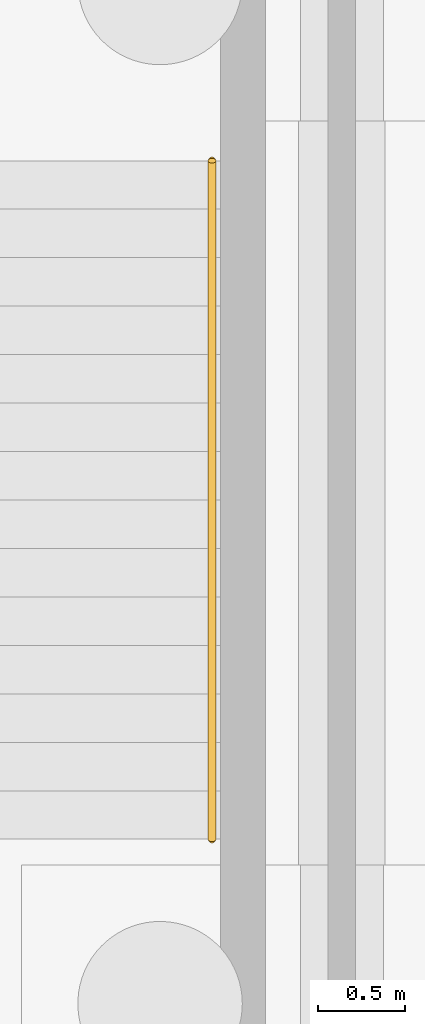
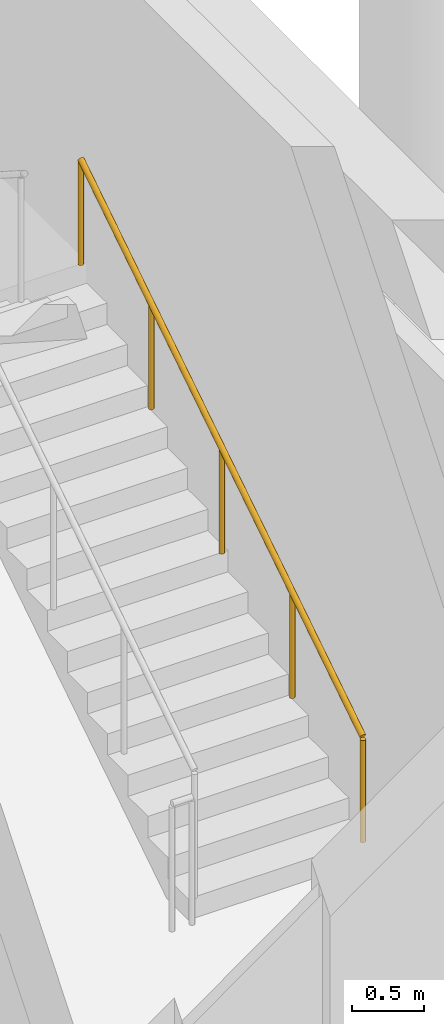
# One storey, part 38 of 44: 1 railing.
"""IFC4 building model written with IfcOpenShell, lengths in metres."""

from ifc_helpers import new_model, si_unit, direction, frame, origin, origin_2d, place, context, subcontext, project, spatial, circle, extrude, material, type_object, element, save


model = new_model("IFC4")

# Units and contexts
model_context = context("Model", 3, precision=1e-05, world=origin(), true_north=direction((0.0, 1.0)))
body_context = subcontext(model_context, "Body", "Model", "MODEL_VIEW")
ifc_project = project(units=[si_unit("LENGTHUNIT", "METRE"), si_unit("AREAUNIT", "SQUARE_METRE"), si_unit("VOLUMEUNIT", "CUBIC_METRE"), si_unit("PLANEANGLEUNIT", "RADIAN"), si_unit("MASSUNIT", "GRAM", prefix="KILO")], contexts=[model_context])

# Site, building, storey
site_placement = place(None, origin())
site = spatial("IfcSite", under=ifc_project, at=site_placement, CompositionType="ELEMENT")
building_placement = place(site_placement, origin())
building = spatial("IfcBuilding", under=site, at=building_placement, Name="Pecanmere Concourse Central Library", CompositionType="ELEMENT")
storey_placement = place(building_placement, frame((0.0, 0.0, -5.39990234375)))
storey = spatial("IfcBuildingStorey", under=building, at=storey_placement, Name="B1", CompositionType="ELEMENT", Elevation=-5.39990234375)

# Railing
ifc_material = material(Name="Brushed stainless steel Grade 316", Category="steel")
railing_type = type_object("IfcRailingType", Name="RAIL_STAIR_HR", PredefinedType="HANDRAIL", material=ifc_material)
railing_placement = place(storey_placement, frame((63.25, 58.0, 0.179931640625)))
element("IfcRailing", 1, at=railing_placement, inside=storey, type_object=railing_type, Name="B1 ST-06 Handrail 1", PredefinedType="HANDRAIL", context=body_context, shape_type="SweptSolid", body=[
    extrude(circle(Radius=0.02392578125, at=origin_2d()), frame((0.0, 0.0, 0.89111328125), z_axis=(0.0, 0.841171666519, 0.540768182723), x_axis=(-1.0, 0.0, 0.0)), (0.0, 0.0, 1.0), 4.66015625),
    extrude(circle(Radius=0.02099609375, at=origin_2d()), origin(), (0.0, 0.0, 1.0), 0.866943359375),
    extrude(circle(Radius=0.02099609375, at=origin_2d()), frame((0.0, 0.97998046875, 0.6298828125)), (0.0, 0.0, 1.0), 0.866943359375),
    extrude(circle(Radius=0.02099609375, at=origin_2d()), frame((0.0, 1.9599609375, 1.260009765625)), (0.0, 0.0, 1.0), 0.866943359375),
    extrude(circle(Radius=0.02099609375, at=origin_2d()), frame((0.0, 2.93994140625, 1.89013671875)), (0.0, 0.0, 1.0), 0.866943359375),
    extrude(circle(Radius=0.02099609375, at=origin_2d()), frame((0.0, 3.919921875, 2.52001953125)), (0.0, 0.0, 1.0), 0.866943359375),
])

save(model, "model.ifc")
